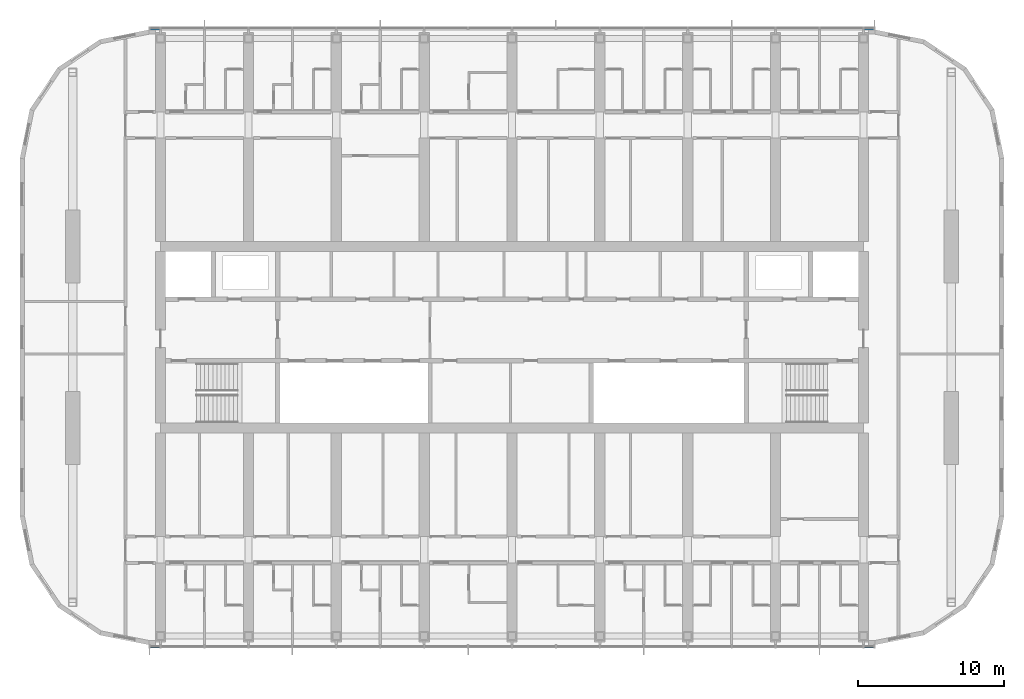
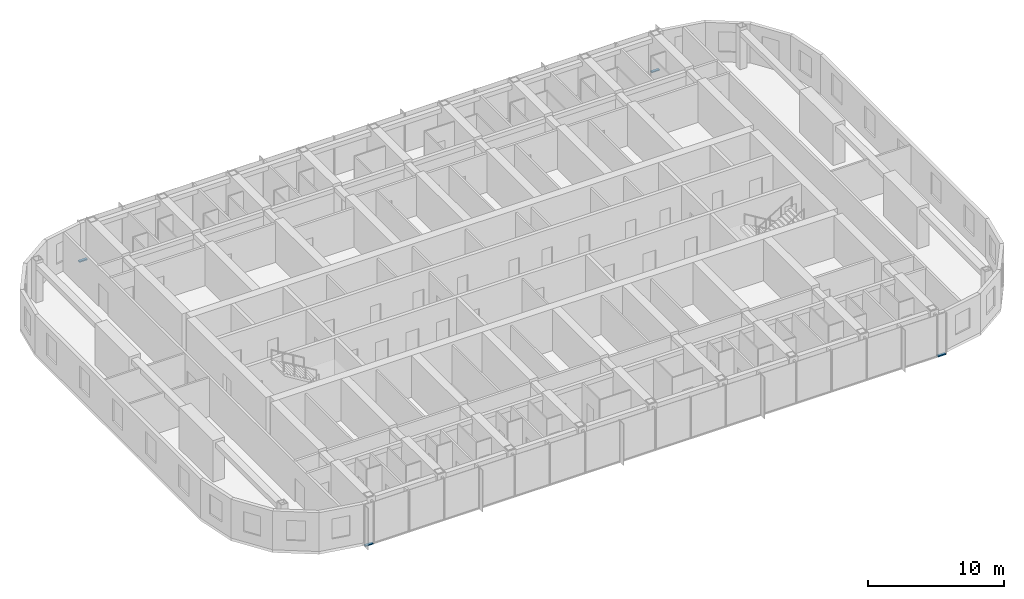
# One storey, part 6 of 24: 4 members, 2 elements without a shape of their own.
"""IFC4 building model written with IfcOpenShell, lengths in metres."""

from ifc_helpers import new_model, si_unit, direction, frame, origin, origin_2d, place, context, subcontext, project, spatial, rectangle, extrude, material, material_profile, profile_set, type_object, element, aggregate, save


model = new_model("IFC4")

# Units and contexts
model_context = context("Model", 3, precision=1e-05, world=origin(), true_north=direction((0.0, 1.0)))
body_context = subcontext(model_context, "Body", "Model", "MODEL_VIEW")
ifc_project = project(units=[si_unit("LENGTHUNIT", "METRE"), si_unit("AREAUNIT", "SQUARE_METRE"), si_unit("VOLUMEUNIT", "CUBIC_METRE"), si_unit("PLANEANGLEUNIT", "RADIAN"), si_unit("MASSUNIT", "GRAM", prefix="KILO")], contexts=[model_context])

# Site, building, storey
site_placement = place(None, origin())
site = spatial("IfcSite", under=ifc_project, at=site_placement, CompositionType="ELEMENT")
building_placement = place(site_placement, origin())
building = spatial("IfcBuilding", under=site, at=building_placement, Name="Orbita Commons", CompositionType="ELEMENT")
storey_placement = place(building_placement, frame((0.0, 0.0, 239.050048828125)))
storey = spatial("IfcBuildingStorey", under=building, at=storey_placement, Name="L59", CompositionType="ELEMENT", Elevation=239.050048828125)

# Curtain wall, members
ifc_material_1 = material(Name="Anodised aluminium frame, pale silver", Category="aluminium")
curtain_wall_type = type_object("IfcCurtainWallType", Name="Unitised curtain wall CW-U, full-height vision", PredefinedType="NOTDEFINED", material=ifc_material_1)
curtain_wall_1_placement = place(storey_placement, origin())
curtain_wall_1 = element("IfcCurtainWall", 1, at=curtain_wall_1_placement, inside=storey, type_object=curtain_wall_type, Name="Curtain wall south L59", PredefinedType="NOTDEFINED")
ifc_material_2 = material(Name="Anodised aluminium, pale silver", Category="aluminium")
ifc_material_profile = material_profile(ifc_material_2, rectangle(XDim=0.219970703125, YDim=0.10009765625, at=origin_2d()), Name="AL 220x100")
ifc_profile_set = profile_set([ifc_material_profile], Name="Anodised aluminium, pale silver")
member_type = type_object("IfcMemberType", Name="Curtain wall stack transom 220x100", PredefinedType="USERDEFINED", material=ifc_profile_set)
member_1_placement = place(storey_placement, frame((17.280029296875, 10.889892578125, -0.199951171875), z_axis=(1.0, 0.0, 0.0), x_axis=(0.0, 1.0, 0.0)))
member_1 = element("IfcMember", 2, at=member_1_placement, type_object=member_type, Name="Transom 1.1 CW-L59-S", ObjectType="TRANSOM", PredefinedType="USERDEFINED", context=body_context, shape_type="SweptSolid", body=[
    extrude(rectangle(XDim=0.219970703125, YDim=0.10009765625, at=origin_2d()), origin(), (0.0, 0.0, 1.0), 0.679931640625),
])
member_2_placement = place(storey_placement, frame((66.0400390625, 10.889892578125, -0.199951171875), z_axis=(1.0, 0.0, 0.0), x_axis=(0.0, 1.0, 0.0)))
member_2 = element("IfcMember", 3, at=member_2_placement, type_object=member_type, Name="Transom 18.1 CW-L59-S", ObjectType="TRANSOM", PredefinedType="USERDEFINED", context=body_context, shape_type="SweptSolid", body=[
    extrude(rectangle(XDim=0.219970703125, YDim=0.10009765625, at=origin_2d()), origin(), (0.0, 0.0, 1.0), 0.679931640625),
])
aggregate(curtain_wall_1, [member_1, member_2])

curtain_wall_2_placement = place(storey_placement, origin())
curtain_wall_2 = element("IfcCurtainWall", 4, at=curtain_wall_2_placement, inside=storey, type_object=curtain_wall_type, Name="Curtain wall north L59", PredefinedType="NOTDEFINED")
member_3_placement = place(storey_placement, frame((66.719970703125, 53.110107421875, -0.199951171875), z_axis=(-1.0, 0.0, 0.0), x_axis=(0.0, -1.0, 0.0)))
member_3 = element("IfcMember", 5, at=member_3_placement, type_object=member_type, Name="Transom 1.1 CW-L59-N", ObjectType="TRANSOM", PredefinedType="USERDEFINED", context=body_context, shape_type="SweptSolid", body=[
    extrude(rectangle(XDim=0.219970703125, YDim=0.10009765625, at=origin_2d()), origin(), (0.0, 0.0, 1.0), 0.679931640625),
])
member_4_placement = place(storey_placement, frame((17.9599609375, 53.110107421875, -0.199951171875), z_axis=(-1.0, 0.0, 0.0), x_axis=(0.0, -1.0, 0.0)))
member_4 = element("IfcMember", 6, at=member_4_placement, type_object=member_type, Name="Transom 18.1 CW-L59-N", ObjectType="TRANSOM", PredefinedType="USERDEFINED", context=body_context, shape_type="SweptSolid", body=[
    extrude(rectangle(XDim=0.219970703125, YDim=0.10009765625, at=origin_2d()), origin(), (0.0, 0.0, 1.0), 0.679931640625),
])
aggregate(curtain_wall_2, [member_3, member_4])

save(model, "model.ifc")
